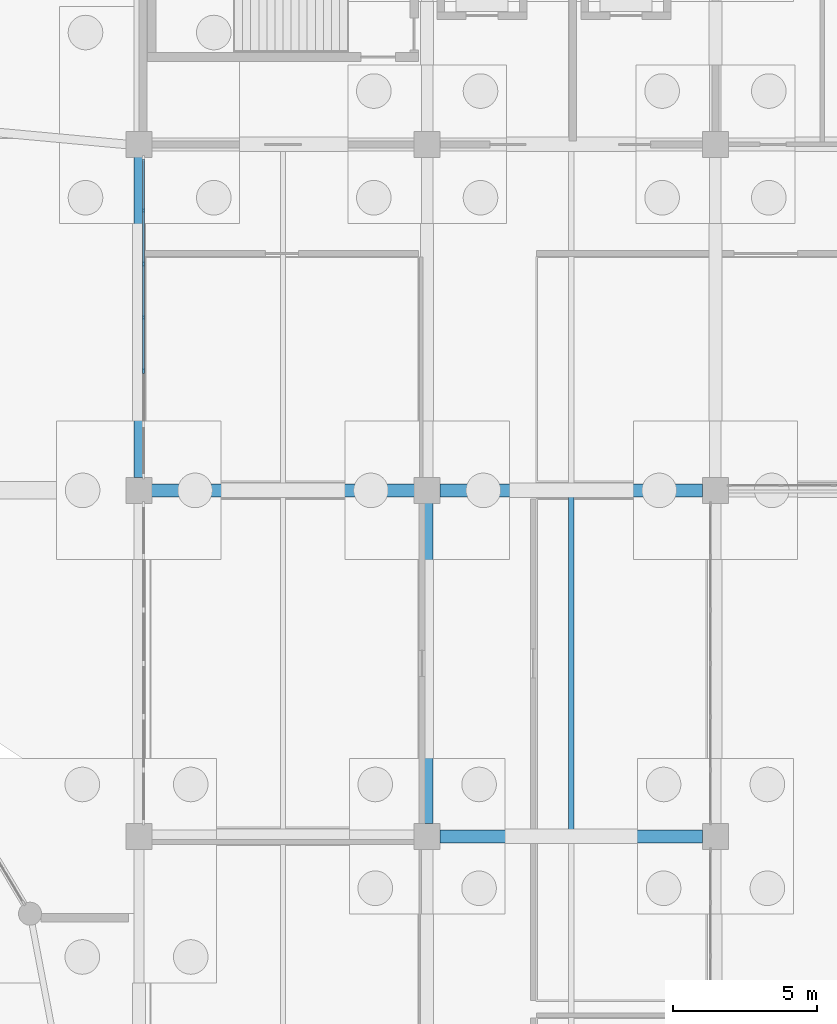
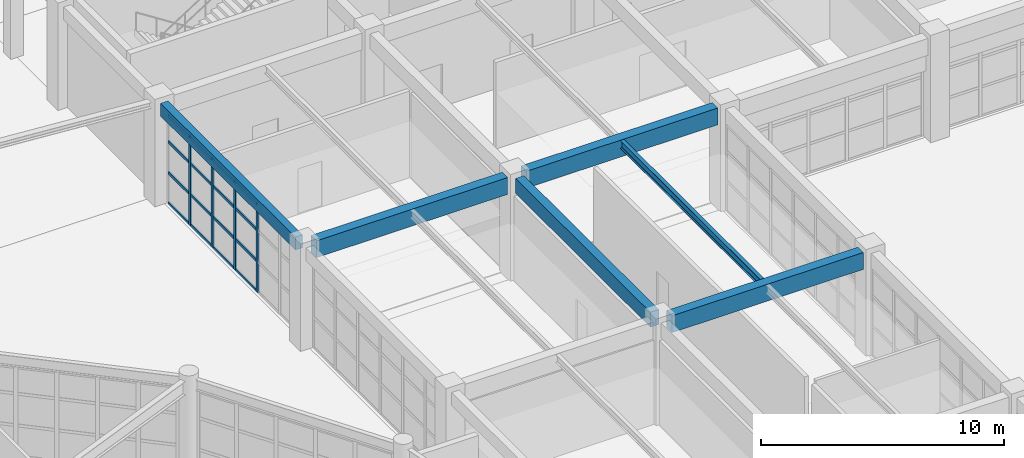
# One storey, part 51 of 99: 20 members, 6 beams, 1 element without a shape of its own.
"""IFC4 building model written with IfcOpenShell, lengths in metres."""

from ifc_helpers import new_model, si_unit, direction, frame, origin, origin_2d, place, context, subcontext, project, spatial, rectangle, i_section, extrude, material, layer, layer_set, material_profile, profile_set, type_object, element, aggregate, save


model = new_model("IFC4")

# Units and contexts
model_context = context("Model", 3, precision=1e-05, world=origin(), true_north=direction((0.0, 1.0)))
body_context = subcontext(model_context, "Body", "Model", "MODEL_VIEW")
ifc_project = project(units=[si_unit("LENGTHUNIT", "METRE"), si_unit("AREAUNIT", "SQUARE_METRE"), si_unit("VOLUMEUNIT", "CUBIC_METRE"), si_unit("PLANEANGLEUNIT", "RADIAN"), si_unit("MASSUNIT", "GRAM", prefix="KILO")], contexts=[model_context])

# Site, building, storey
site_placement = place(None, origin())
site = spatial("IfcSite", under=ifc_project, at=site_placement, CompositionType="ELEMENT")
building_placement = place(site_placement, origin())
building = spatial("IfcBuilding", under=site, at=building_placement, Name="Kivolera Central Railway Station", CompositionType="ELEMENT")
storey_placement = place(building_placement, origin())
storey = spatial("IfcBuildingStorey", under=building, at=storey_placement, Name="L00", CompositionType="ELEMENT", Elevation=0.0)

# Beams
ifc_material_1 = material(Name="Steel S355", Category="steel")
ifc_material_profile_1 = material_profile(ifc_material_1, i_section(OverallWidth=0.179931640625, OverallDepth=0.39990234375, WebThickness=0.008544921875, FlangeThickness=0.013427734375, FilletRadius=0.02099609375, at=origin_2d()), Name="IPE 400")
ifc_profile_set_1 = profile_set([ifc_material_profile_1], Name="Steel S355")
beam_type_1 = type_object("IfcBeamType", Name="BM-JST-IPE400", PredefinedType="JOIST", material=ifc_profile_set_1)
beam_1_placement = place(storey_placement, frame((133.0, 102.217041015625, 4.907958984375), z_axis=(0.0, 1.0, 0.0), x_axis=(-1.0, 0.0, 0.0)))
element("IfcBeam", 1, at=beam_1_placement, inside=storey, type_object=beam_type_1, Name="L00 Floor Joist 13-14/J-K", PredefinedType="JOIST", context=body_context, shape_type="SweptSolid", body=[
    extrude(i_section(OverallWidth=0.179931640625, OverallDepth=0.39990234375, WebThickness=0.008544921875, FlangeThickness=0.013427734375, FilletRadius=0.02099609375, at=origin_2d()), origin(), (0.0, 0.0, 1.0), 11.56591796875),
])
ifc_material_2 = material(Name="Concrete C40/50", Category="concrete")
ifc_material_profile_2 = material_profile(ifc_material_2, rectangle(XDim=0.39990234375, YDim=0.75, at=origin_2d()), Name="RC 400x750")
ifc_profile_set_2 = profile_set([ifc_material_profile_2], Name="Concrete C40/50")
beam_type_2 = type_object("IfcBeamType", Name="BM-RC-400x750", PredefinedType="BEAM", material=ifc_profile_set_2)
beam_2_placement = place(storey_placement, frame((128.0, 102.44189453125, 4.7451171875), z_axis=(0.0, 1.0, 0.0), x_axis=(-1.0, 0.0, 0.0)))
element("IfcBeam", 2, at=beam_2_placement, inside=storey, type_object=beam_type_2, Name="L00 Wing Y-Beam 13:J-K", PredefinedType="BEAM", context=body_context, shape_type="SweptSolid", body=[
    extrude(rectangle(XDim=0.39990234375, YDim=0.75, at=origin_2d()), origin(), (0.0, 0.0, 1.0), 11.1162109375),
])
ifc_material_profile_3 = material_profile(ifc_material_2, rectangle(XDim=0.449951171875, YDim=0.85009765625, at=origin_2d()), Name="RC 450x850")
ifc_profile_set_3 = profile_set([ifc_material_profile_3], Name="Concrete C40/50")
beam_type_3 = type_object("IfcBeamType", Name="BM-RC-450x850", PredefinedType="BEAM", material=ifc_profile_set_3)
for number, where, z_axis, x_axis, name in (
    (3, (128.44189453125, 102.0, 4.695068359375), (1.0, 0.0, 0.0), (0.0, 1.0, 0.0), "L00 Wing X-Beam J:13-14"),
    (4, (118.44189453125, 114.0, 4.695068359375), (1.0, 0.0, 0.0), (0.0, 1.0, 0.0), "L00 Wing X-Beam K:12-13"),
    (5, (128.44189453125, 114.0, 4.695068359375), (1.0, 0.0, 0.0), (0.0, 1.0, 0.0), "L00 Wing X-Beam K:13-14"),
):
    element("IfcBeam", number, at=place(storey_placement, frame(where, z_axis=z_axis, x_axis=x_axis)), inside=storey, type_object=beam_type_3, Name=name, PredefinedType="BEAM", context=body_context, shape_type="SweptSolid", body=[
        extrude(rectangle(XDim=0.449951171875, YDim=0.85009765625, at=origin_2d()), origin(), (0.0, 0.0, 1.0), 9.1162109375),
    ])
ifc_material_profile_4 = material_profile(ifc_material_2, rectangle(XDim=0.35009765625, YDim=0.64990234375, at=origin_2d()), Name="RC 350x650")
ifc_profile_set_4 = profile_set([ifc_material_profile_4], Name="Concrete C40/50")
beam_type_4 = type_object("IfcBeamType", Name="BM-SPN-RC650", PredefinedType="SPANDREL", material=ifc_profile_set_4)
beam_3_placement = place(storey_placement, frame((118.0, 114.44189453125, 4.794921875), z_axis=(0.0, 1.0, 0.0), x_axis=(-1.0, 0.0, 0.0)))
element("IfcBeam", 6, at=beam_3_placement, inside=storey, type_object=beam_type_4, Name="L00 Wing Y-Beam 12:K-L", PredefinedType="SPANDREL", context=body_context, shape_type="SweptSolid", body=[
    extrude(rectangle(XDim=0.35009765625, YDim=0.64990234375, at=origin_2d()), origin(), (0.0, 0.0, 1.0), 11.1162109375),
])

# Curtain wall, members
ifc_material_3 = material(Name="Anodised aluminium", Category="aluminium")
ifc_layer = layer(ifc_material_3, 0.179931640625, Name="Anodised aluminium")
ifc_layer_set = layer_set([ifc_layer], Name="Anodised aluminium")
curtain_wall_type = type_object("IfcCurtainWallType", Name="CW-SYS-23", PredefinedType="NOTDEFINED", material=ifc_layer_set)
curtain_wall_placement = place(storey_placement, origin())
curtain_wall = element("IfcCurtainWall", 7, at=curtain_wall_placement, inside=storey, type_object=curtain_wall_type, Name="L00 Curtain Wall CW-L00-WEST-K", PredefinedType="NOTDEFINED")
ifc_material_profile_5 = material_profile(ifc_material_3, rectangle(XDim=0.070068359375, YDim=0.179931640625, at=origin_2d()), Name="ALU MULL 70x180")
ifc_profile_set_5 = profile_set([ifc_material_profile_5], Name="Anodised aluminium")
member_type_1 = type_object("IfcMemberType", Name="CWM-MUL-1", PredefinedType="MULLION", material=ifc_profile_set_5)
member_1_placement = place(storey_placement, frame((118.169921875, 118.1484375, -0.0048828125), z_axis=(0.0, 0.0, 1.0), x_axis=(-1.0, 0.0, 0.0)))
member_1 = element("IfcMember", 8, at=member_1_placement, type_object=member_type_1, Name="CW-23 mullion 3", PredefinedType="MULLION", context=body_context, shape_type="SweptSolid", body=[
    extrude(rectangle(XDim=0.070068359375, YDim=0.179931640625, at=origin_2d()), origin(), (0.0, 0.0, 1.0), 4.462890625),
])
member_2_placement = place(storey_placement, frame((118.169921875, 120.0, -0.0048828125), z_axis=(0.0, 0.0, 1.0), x_axis=(-1.0, 0.0, 0.0)))
member_2 = element("IfcMember", 9, at=member_2_placement, type_object=member_type_1, Name="CW-23 mullion 4", PredefinedType="MULLION", context=body_context, shape_type="SweptSolid", body=[
    extrude(rectangle(XDim=0.070068359375, YDim=0.179931640625, at=origin_2d()), origin(), (0.0, 0.0, 1.0), 4.462890625),
])
member_3_placement = place(storey_placement, frame((118.169921875, 121.8515625, -0.0048828125), z_axis=(0.0, 0.0, 1.0), x_axis=(-1.0, 0.0, 0.0)))
member_3 = element("IfcMember", 10, at=member_3_placement, type_object=member_type_1, Name="CW-23 mullion 5", PredefinedType="MULLION", context=body_context, shape_type="SweptSolid", body=[
    extrude(rectangle(XDim=0.070068359375, YDim=0.179931640625, at=origin_2d()), origin(), (0.0, 0.0, 1.0), 4.462890625),
])
member_4_placement = place(storey_placement, frame((118.169921875, 123.703369140625, -0.0048828125), z_axis=(0.0, 0.0, 1.0), x_axis=(-1.0, 0.0, 0.0)))
member_4 = element("IfcMember", 11, at=member_4_placement, type_object=member_type_1, Name="CW-23 mullion 6", PredefinedType="MULLION", context=body_context, shape_type="SweptSolid", body=[
    extrude(rectangle(XDim=0.070068359375, YDim=0.179931640625, at=origin_2d()), origin(), (0.0, 0.0, 1.0), 4.462890625),
])
ifc_material_profile_6 = material_profile(ifc_material_3, rectangle(XDim=0.070068359375, YDim=0.139892578125, at=origin_2d()), Name="ALU TRAN 70x140")
ifc_profile_set_6 = profile_set([ifc_material_profile_6], Name="Anodised aluminium")
member_type_2 = type_object("IfcMemberType", Name="CWM-TRN-1", PredefinedType="USERDEFINED", material=ifc_profile_set_6)
member_5_placement = place(storey_placement, frame((118.169921875, 118.183349609375, 0.034912109375), z_axis=(0.0, 1.0, 0.0), x_axis=(-1.0, 0.0, 0.0)))
member_5 = element("IfcMember", 12, at=member_5_placement, type_object=member_type_2, Name="CW-23 transom 3.1", ObjectType="TRANSOM", PredefinedType="USERDEFINED", context=body_context, shape_type="SweptSolid", body=[
    extrude(rectangle(XDim=0.070068359375, YDim=0.139892578125, at=origin_2d()), origin(), (0.0, 0.0, 1.0), 1.78173828125),
])
member_6_placement = place(storey_placement, frame((118.169921875, 118.183349609375, 1.560302734375), z_axis=(0.0, 1.0, 0.0), x_axis=(-1.0, 0.0, 0.0)))
member_6 = element("IfcMember", 13, at=member_6_placement, type_object=member_type_2, Name="CW-23 transom 3.2", ObjectType="TRANSOM", PredefinedType="USERDEFINED", context=body_context, shape_type="SweptSolid", body=[
    extrude(rectangle(XDim=0.070068359375, YDim=0.139892578125, at=origin_2d()), origin(), (0.0, 0.0, 1.0), 1.78173828125),
])
member_7_placement = place(storey_placement, frame((118.169921875, 118.183349609375, 3.12060546875), z_axis=(0.0, 1.0, 0.0), x_axis=(-1.0, 0.0, 0.0)))
member_7 = element("IfcMember", 14, at=member_7_placement, type_object=member_type_2, Name="CW-23 transom 3.3", ObjectType="TRANSOM", PredefinedType="USERDEFINED", context=body_context, shape_type="SweptSolid", body=[
    extrude(rectangle(XDim=0.070068359375, YDim=0.139892578125, at=origin_2d()), origin(), (0.0, 0.0, 1.0), 1.78173828125),
])
member_8_placement = place(storey_placement, frame((118.169921875, 118.183349609375, 4.423095703125), z_axis=(0.0, 1.0, 0.0), x_axis=(-1.0, 0.0, 0.0)))
member_8 = element("IfcMember", 15, at=member_8_placement, type_object=member_type_2, Name="CW-23 transom 3.4", ObjectType="TRANSOM", PredefinedType="USERDEFINED", context=body_context, shape_type="SweptSolid", body=[
    extrude(rectangle(XDim=0.070068359375, YDim=0.139892578125, at=origin_2d()), origin(), (0.0, 0.0, 1.0), 1.78173828125),
])
member_9_placement = place(storey_placement, frame((118.169921875, 120.034912109375, 0.034912109375), z_axis=(0.0, 1.0, 0.0), x_axis=(-1.0, 0.0, 0.0)))
member_9 = element("IfcMember", 16, at=member_9_placement, type_object=member_type_2, Name="CW-23 transom 4.1", ObjectType="TRANSOM", PredefinedType="USERDEFINED", context=body_context, shape_type="SweptSolid", body=[
    extrude(rectangle(XDim=0.070068359375, YDim=0.139892578125, at=origin_2d()), origin(), (0.0, 0.0, 1.0), 1.78173828125),
])
member_10_placement = place(storey_placement, frame((118.169921875, 120.034912109375, 1.560302734375), z_axis=(0.0, 1.0, 0.0), x_axis=(-1.0, 0.0, 0.0)))
member_10 = element("IfcMember", 17, at=member_10_placement, type_object=member_type_2, Name="CW-23 transom 4.2", ObjectType="TRANSOM", PredefinedType="USERDEFINED", context=body_context, shape_type="SweptSolid", body=[
    extrude(rectangle(XDim=0.070068359375, YDim=0.139892578125, at=origin_2d()), origin(), (0.0, 0.0, 1.0), 1.78173828125),
])
member_11_placement = place(storey_placement, frame((118.169921875, 120.034912109375, 3.12060546875), z_axis=(0.0, 1.0, 0.0), x_axis=(-1.0, 0.0, 0.0)))
member_11 = element("IfcMember", 18, at=member_11_placement, type_object=member_type_2, Name="CW-23 transom 4.3", ObjectType="TRANSOM", PredefinedType="USERDEFINED", context=body_context, shape_type="SweptSolid", body=[
    extrude(rectangle(XDim=0.070068359375, YDim=0.139892578125, at=origin_2d()), origin(), (0.0, 0.0, 1.0), 1.78173828125),
])
member_12_placement = place(storey_placement, frame((118.169921875, 120.034912109375, 4.423095703125), z_axis=(0.0, 1.0, 0.0), x_axis=(-1.0, 0.0, 0.0)))
member_12 = element("IfcMember", 19, at=member_12_placement, type_object=member_type_2, Name="CW-23 transom 4.4", ObjectType="TRANSOM", PredefinedType="USERDEFINED", context=body_context, shape_type="SweptSolid", body=[
    extrude(rectangle(XDim=0.070068359375, YDim=0.139892578125, at=origin_2d()), origin(), (0.0, 0.0, 1.0), 1.78173828125),
])
member_13_placement = place(storey_placement, frame((118.169921875, 121.88671875, 0.034912109375), z_axis=(0.0, 1.0, 0.0), x_axis=(-1.0, 0.0, 0.0)))
member_13 = element("IfcMember", 20, at=member_13_placement, type_object=member_type_2, Name="CW-23 transom 5.1", ObjectType="TRANSOM", PredefinedType="USERDEFINED", context=body_context, shape_type="SweptSolid", body=[
    extrude(rectangle(XDim=0.070068359375, YDim=0.139892578125, at=origin_2d()), origin(), (0.0, 0.0, 1.0), 1.781494140625),
])
member_14_placement = place(storey_placement, frame((118.169921875, 121.88671875, 1.560302734375), z_axis=(0.0, 1.0, 0.0), x_axis=(-1.0, 0.0, 0.0)))
member_14 = element("IfcMember", 21, at=member_14_placement, type_object=member_type_2, Name="CW-23 transom 5.2", ObjectType="TRANSOM", PredefinedType="USERDEFINED", context=body_context, shape_type="SweptSolid", body=[
    extrude(rectangle(XDim=0.070068359375, YDim=0.139892578125, at=origin_2d()), origin(), (0.0, 0.0, 1.0), 1.781494140625),
])
member_15_placement = place(storey_placement, frame((118.169921875, 121.88671875, 3.12060546875), z_axis=(0.0, 1.0, 0.0), x_axis=(-1.0, 0.0, 0.0)))
member_15 = element("IfcMember", 22, at=member_15_placement, type_object=member_type_2, Name="CW-23 transom 5.3", ObjectType="TRANSOM", PredefinedType="USERDEFINED", context=body_context, shape_type="SweptSolid", body=[
    extrude(rectangle(XDim=0.070068359375, YDim=0.139892578125, at=origin_2d()), origin(), (0.0, 0.0, 1.0), 1.781494140625),
])
member_16_placement = place(storey_placement, frame((118.169921875, 121.88671875, 4.423095703125), z_axis=(0.0, 1.0, 0.0), x_axis=(-1.0, 0.0, 0.0)))
member_16 = element("IfcMember", 23, at=member_16_placement, type_object=member_type_2, Name="CW-23 transom 5.4", ObjectType="TRANSOM", PredefinedType="USERDEFINED", context=body_context, shape_type="SweptSolid", body=[
    extrude(rectangle(XDim=0.070068359375, YDim=0.139892578125, at=origin_2d()), origin(), (0.0, 0.0, 1.0), 1.781494140625),
])
member_17_placement = place(storey_placement, frame((118.169921875, 123.73828125, 0.034912109375), z_axis=(0.0, 1.0, 0.0), x_axis=(-1.0, 0.0, 0.0)))
member_17 = element("IfcMember", 24, at=member_17_placement, type_object=member_type_2, Name="CW-23 transom 6.1", ObjectType="TRANSOM", PredefinedType="USERDEFINED", context=body_context, shape_type="SweptSolid", body=[
    extrude(rectangle(XDim=0.070068359375, YDim=0.139892578125, at=origin_2d()), origin(), (0.0, 0.0, 1.0), 1.746826171875),
])
member_18_placement = place(storey_placement, frame((118.169921875, 123.73828125, 1.560302734375), z_axis=(0.0, 1.0, 0.0), x_axis=(-1.0, 0.0, 0.0)))
member_18 = element("IfcMember", 25, at=member_18_placement, type_object=member_type_2, Name="CW-23 transom 6.2", ObjectType="TRANSOM", PredefinedType="USERDEFINED", context=body_context, shape_type="SweptSolid", body=[
    extrude(rectangle(XDim=0.070068359375, YDim=0.139892578125, at=origin_2d()), origin(), (0.0, 0.0, 1.0), 1.746826171875),
])
member_19_placement = place(storey_placement, frame((118.169921875, 123.73828125, 3.12060546875), z_axis=(0.0, 1.0, 0.0), x_axis=(-1.0, 0.0, 0.0)))
member_19 = element("IfcMember", 26, at=member_19_placement, type_object=member_type_2, Name="CW-23 transom 6.3", ObjectType="TRANSOM", PredefinedType="USERDEFINED", context=body_context, shape_type="SweptSolid", body=[
    extrude(rectangle(XDim=0.070068359375, YDim=0.139892578125, at=origin_2d()), origin(), (0.0, 0.0, 1.0), 1.746826171875),
])
member_20_placement = place(storey_placement, frame((118.169921875, 123.73828125, 4.423095703125), z_axis=(0.0, 1.0, 0.0), x_axis=(-1.0, 0.0, 0.0)))
member_20 = element("IfcMember", 27, at=member_20_placement, type_object=member_type_2, Name="CW-23 transom 6.4", ObjectType="TRANSOM", PredefinedType="USERDEFINED", context=body_context, shape_type="SweptSolid", body=[
    extrude(rectangle(XDim=0.070068359375, YDim=0.139892578125, at=origin_2d()), origin(), (0.0, 0.0, 1.0), 1.746826171875),
])
aggregate(curtain_wall, [member_1, member_2, member_3, member_4, member_5, member_6, member_7, member_8, member_9, member_10, member_11, member_12, member_13, member_14, member_15, member_16, member_17, member_18, member_19, member_20])

save(model, "model.ifc")
